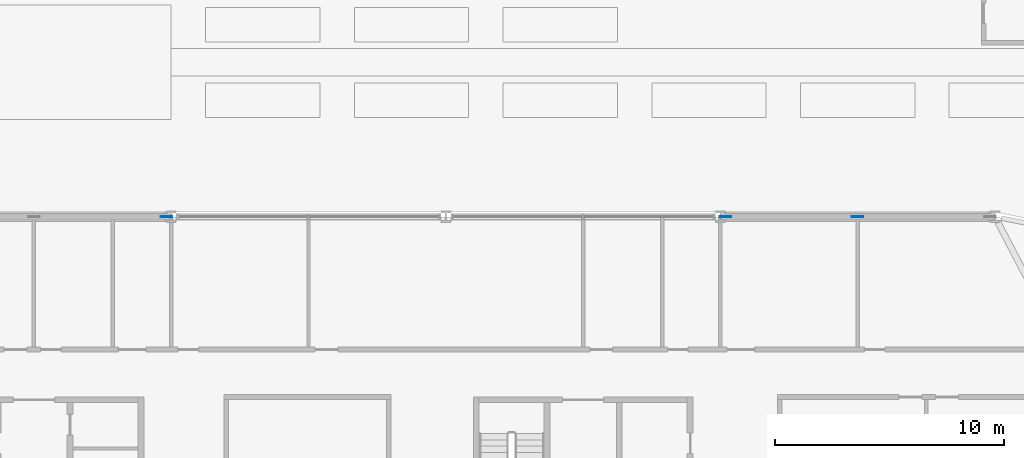
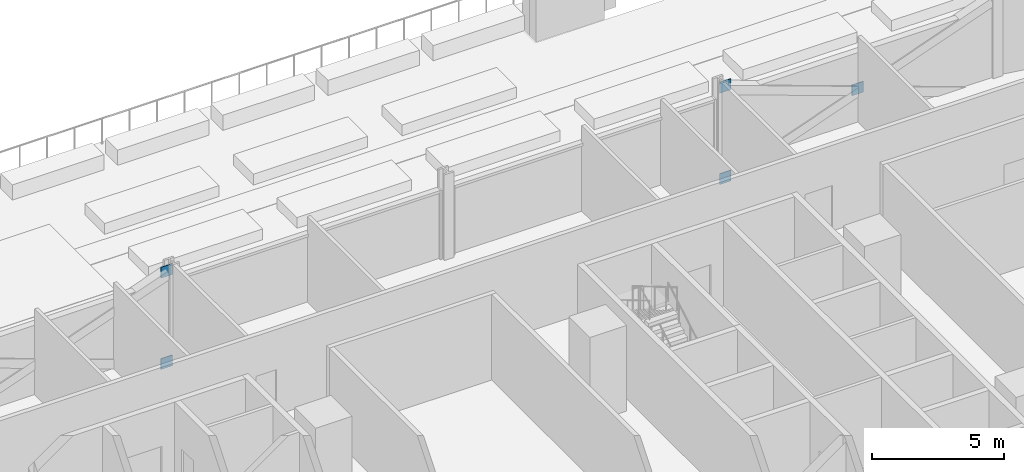
# One storey, part 26 of 39: 5 discrete accessories.
"""IFC4 building model written with IfcOpenShell, lengths in metres."""

import ifcopenshell
import ifcopenshell.guid

model = None  # the IFC model being written
_history = None  # IfcOwnerHistory: only IFC2X3 demands one
_inside = {}  # id of a spatial element -> (the spatial element, [elements in it])
_under = {}  # id of a project, library or spatial element -> (it, [spatial elements below it])
_declared = {}  # id of a project -> (the project, [libraries it declares])
_typed = {}  # id of a type object -> (the type object, [elements of that type])
_made_of = {}  # id of a material, layer set ... -> (it, [elements and type objects made of it])


def new_model(schema):
    """Start an empty IFC model of exactly this schema.

    Asked for "IFC4X3", IfcOpenShell would pick the latest addendum, in which some entities
    have other attributes; the version numbers below select the first issue.
    IFC2X3 requires an IfcOwnerHistory on every rooted entity: one is made here for all.
    """
    global model, _history
    if schema == "IFC4X3":
        model = ifcopenshell.file(schema_version=(4, 3, 0, 0))
    else:
        model = ifcopenshell.file(schema=schema)
    _inside.clear()
    _under.clear()
    _declared.clear()
    _typed.clear()
    _made_of.clear()
    _history = None
    if model.schema == "IFC2X3":
        org = make("IfcOrganization", Name="unknown")
        user = make(
            "IfcPersonAndOrganization",
            ThePerson=make("IfcPerson", FamilyName="unknown"),
            TheOrganization=org,
        )
        app = make(
            "IfcApplication",
            ApplicationDeveloper=org,
            Version="unknown",
            ApplicationFullName="unknown",
            ApplicationIdentifier="unknown",
        )
        _history = make(
            "IfcOwnerHistory",
            OwningUser=user,
            OwningApplication=app,
            ChangeAction="ADDED",
            CreationDate=0,
        )
    return model


def make(cls, **values):
    """One entity of the class cls with the attributes given. An attribute that is None is left unset."""
    return model.create_entity(
        cls, **{name: value for name, value in values.items() if value is not None}
    )


def rooted(cls, **values):
    """An entity with a GlobalId (a new one), such as an element, a storey or a relation."""
    return make(cls, GlobalId=ifcopenshell.guid.new(), OwnerHistory=_history, **values)


def si_unit(unit_type, name, prefix=None):
    """IfcSIUnit, for example si_unit("LENGTHUNIT", "METRE", prefix="MILLI")."""
    return make("IfcSIUnit", UnitType=unit_type, Prefix=prefix, Name=name)


def assignment(units):
    """IfcUnitAssignment: the units of a project."""
    return None if units is None else make("IfcUnitAssignment", Units=units)


def point(xyz):
    """IfcCartesianPoint."""
    return None if xyz is None else make("IfcCartesianPoint", Coordinates=xyz)


def direction(xyz):
    """IfcDirection."""
    return None if xyz is None else make("IfcDirection", DirectionRatios=xyz)


def frame(location, z_axis=None, x_axis=None):
    """IfcAxis2Placement3D, a coordinate frame: its origin and axes. An axis left out is left unset."""
    return make(
        "IfcAxis2Placement3D",
        Location=point(location),
        Axis=direction(z_axis),
        RefDirection=direction(x_axis),
    )


def frame_2d(location, x_axis=None):
    """IfcAxis2Placement2D, a coordinate frame in the plane: its origin and x axis."""
    return make(
        "IfcAxis2Placement2D", Location=point(location), RefDirection=direction(x_axis)
    )


def origin():
    """The frame at (0, 0, 0) with its axes left unset."""
    return frame((0.0, 0.0, 0.0))


def origin_2d():
    """The frame at (0, 0) in the plane with its x axis left unset."""
    return frame_2d((0.0, 0.0))


def place(relative_to, where):
    """IfcLocalPlacement: puts the frame where relative to a parent placement (None: the world)."""
    return make(
        "IfcLocalPlacement", PlacementRelTo=relative_to, RelativePlacement=where
    )


def context(
    kind, dimensions, precision=None, world=None, true_north=None, identifier=None
):
    """IfcGeometricRepresentationContext, for example the 3D "Model" context."""
    return make(
        "IfcGeometricRepresentationContext",
        ContextIdentifier=identifier,
        ContextType=kind,
        CoordinateSpaceDimension=dimensions,
        Precision=precision,
        WorldCoordinateSystem=world,
        TrueNorth=true_north,
    )


def subcontext(parent, identifier, kind, view, scale=None):
    """IfcGeometricRepresentationSubContext, for example "Body" below "Model"."""
    return make(
        "IfcGeometricRepresentationSubContext",
        ContextIdentifier=identifier,
        ContextType=kind,
        ParentContext=parent,
        TargetScale=scale,
        TargetView=view,
    )


def project(units=None, contexts=None):
    """IfcProject with its units and contexts."""
    return rooted(
        "IfcProject",
        Name="project",
        RepresentationContexts=contexts,
        UnitsInContext=assignment(units),
    )


def spatial(cls, under=None, at=None, **own):
    """A site, building, storey or space (cls), placed at a placement, below another one or the project."""
    s = rooted(cls, ObjectPlacement=at, **own)
    if under is not None:
        _under.setdefault(under.id(), (under, []))[1].append(s)
    return s


def profile(cls, at=None, kind="AREA", **sizes):
    """A parametric profile (cls). Its sizes go by their IFC names, for example OverallWidth=200.0."""
    return make(cls, ProfileType=kind, Position=at, **sizes)


def rectangle(**sizes):
    """IfcRectangleProfileDef."""
    return profile("IfcRectangleProfileDef", **sizes)


def extrude(swept, where, along, depth):
    """IfcExtrudedAreaSolid: the profile swept, set in the frame where, extruded along a direction by depth."""
    return make(
        "IfcExtrudedAreaSolid",
        SweptArea=swept,
        Position=where,
        ExtrudedDirection=direction(along),
        Depth=depth,
    )


def shape(context_of_items, identifier, shape_type, items):
    """IfcShapeRepresentation: the items that make up one representation, for example the "Body"."""
    return make(
        "IfcShapeRepresentation",
        ContextOfItems=context_of_items,
        RepresentationIdentifier=identifier,
        RepresentationType=shape_type,
        Items=items,
    )


def material(Name=None, Category=None):
    """IfcMaterial."""
    return make("IfcMaterial", Name=Name, Category=Category)


def layer(
    of_material, thickness, ventilated=None, Name=None, Category=None, Priority=None
):
    """IfcMaterialLayer: one layer of a wall or slab, of a material (None: an air gap)."""
    return make(
        "IfcMaterialLayer",
        Material=of_material,
        LayerThickness=thickness,
        IsVentilated=ventilated,
        Name=Name,
        Category=Category,
        Priority=Priority,
    )


def layer_set(layers, Name=None):
    """IfcMaterialLayerSet."""
    return make("IfcMaterialLayerSet", MaterialLayers=layers, LayerSetName=Name)


def made_of(thing, what):
    """Note that an element or type object is made of a material, layer set ...; save() writes the relation."""
    if what is not None:
        _made_of.setdefault(what.id(), (what, []))[1].append(thing)
    return thing


def type_object(cls, material=None, **own):
    """A type object (cls), such as IfcWallType, which elements share."""
    return made_of(rooted(cls, **own), material)


def element(
    cls,
    number,
    at=None,
    inside=None,
    cuts=None,
    type_object=None,
    material=None,
    context=None,
    identifier="Body",
    shape_type=None,
    held_by="IfcProductDefinitionShape",
    body=None,
    shapes=None,
    **own,
):
    """One element of the class cls, such as IfcWall. Its Tag is "e" and its number.

    at: its placement. inside: the storey or other place that contains it. cuts: it is an
    opening in that element (IfcRelVoidsElement). A single representation is given by context,
    identifier, shape_type and body (its items); several are given by shapes. held_by: the class
    of the entity that holds the representations. save() writes the other relations.
    """
    e = rooted(cls, Tag="e%d" % number, ObjectPlacement=at, **own)
    if body is not None:
        shapes = [shape(context, identifier, shape_type, body)]
    if shapes is not None:
        e.Representation = make(held_by, Representations=shapes)
    if inside is not None:
        _inside.setdefault(inside.id(), (inside, []))[1].append(e)
    if cuts is not None:
        rooted(
            "IfcRelVoidsElement", RelatingBuildingElement=cuts, RelatedOpeningElement=e
        )
    if type_object is not None:
        _typed.setdefault(type_object.id(), (type_object, []))[1].append(e)
    return made_of(e, material)


def aggregate(whole, parts):
    """IfcRelAggregates: a whole, such as a stair, and the parts it consists of."""
    return rooted("IfcRelAggregates", RelatingObject=whole, RelatedObjects=parts)


def save(model, path):
    """Write the relations noted so far, then the file.

    IfcRelAggregates (storeys below a building ...), IfcRelContainedInSpatialStructure (elements
    in a storey), IfcRelDefinesByType, IfcRelAssociatesMaterial and IfcRelDeclares: one each for
    every whole, place, type object, material and project.
    """
    for whole, parts in _under.values():
        aggregate(whole, parts)
    for where, things in _inside.values():
        rooted(
            "IfcRelContainedInSpatialStructure",
            RelatedElements=things,
            RelatingStructure=where,
        )
    for kind, things in _typed.values():
        rooted("IfcRelDefinesByType", RelatedObjects=things, RelatingType=kind)
    for what, things in _made_of.values():
        rooted("IfcRelAssociatesMaterial", RelatedObjects=things, RelatingMaterial=what)
    for by, libraries in _declared.values():
        rooted("IfcRelDeclares", RelatingContext=by, RelatedDefinitions=libraries)
    model.write(path)


model = new_model("IFC4")

# Units and contexts
model_context = context("Model", 3, precision=1e-05, world=origin(), true_north=direction((0.0, 1.0)))
body_context = subcontext(model_context, "Body", "Model", "MODEL_VIEW")
ifc_project = project(units=[si_unit("LENGTHUNIT", "METRE"), si_unit("AREAUNIT", "SQUARE_METRE"), si_unit("VOLUMEUNIT", "CUBIC_METRE"), si_unit("PLANEANGLEUNIT", "RADIAN"), si_unit("MASSUNIT", "GRAM", prefix="KILO")], contexts=[model_context])

# Site, building, storey
site_placement = place(None, origin())
site = spatial("IfcSite", under=ifc_project, at=site_placement, CompositionType="ELEMENT")
building_placement = place(site_placement, origin())
building = spatial("IfcBuilding", under=site, at=building_placement, Name="Mahtab Terrace Research Tower", CompositionType="ELEMENT")
storey_placement = place(building_placement, frame((0.0, 0.0, 7.199951171875)))
storey = spatial("IfcBuildingStorey", under=building, at=storey_placement, Name="L01", CompositionType="ELEMENT", Elevation=7.199951171875)

# Discrete accessories
ifc_material = material(Name="Steel ASTM A992 Gr 50", Category="steel")
ifc_layer = layer(ifc_material, 0.030029296875)
ifc_layer_set = layer_set([ifc_layer], Name="Gusset plate 500x500x30")
discrete_accessory_type = type_object("IfcDiscreteAccessoryType", Name="Gusset plate 500x500x30", PredefinedType="USERDEFINED", material=ifc_layer_set)
for number, where, z_axis, x_axis, name in (
    (1, (5.7841796875, 23.0, -0.89111328125), (0.0, 0.0, 1.0), (1.0, 0.0, 0.0), "Gusset plate"),
    (2, (5.7841796875, 23.0, 3.33154296875), (0.0, 0.0, 1.0), (1.0, 0.0, 0.0), "Gusset plate"),
    (3, (30.2158203125, 23.0, -0.89111328125), (0.0, 0.0, 1.0), (1.0, 0.0, 0.0), "Gusset plate"),
    (4, (30.2158203125, 23.0, 3.33154296875), (0.0, 0.0, 1.0), (1.0, 0.0, 0.0), "Gusset plate"),
    (5, (36.0, 23.0, 1.181640625), (0.0, 0.0, 1.0), (1.0, 0.0, 0.0), "Gusset plate"),
):
    element("IfcDiscreteAccessory", number, at=place(storey_placement, frame(where, z_axis=z_axis, x_axis=x_axis)), inside=storey, type_object=discrete_accessory_type, Name=name, ObjectType="GUSSET PLATE", PredefinedType="USERDEFINED", context=body_context, shape_type="SweptSolid", body=[
        extrude(rectangle(XDim=0.5, YDim=0.030029296875, at=origin_2d()), origin(), (0.0, 0.0, 1.0), 0.5),
    ])

save(model, "model.ifc")
